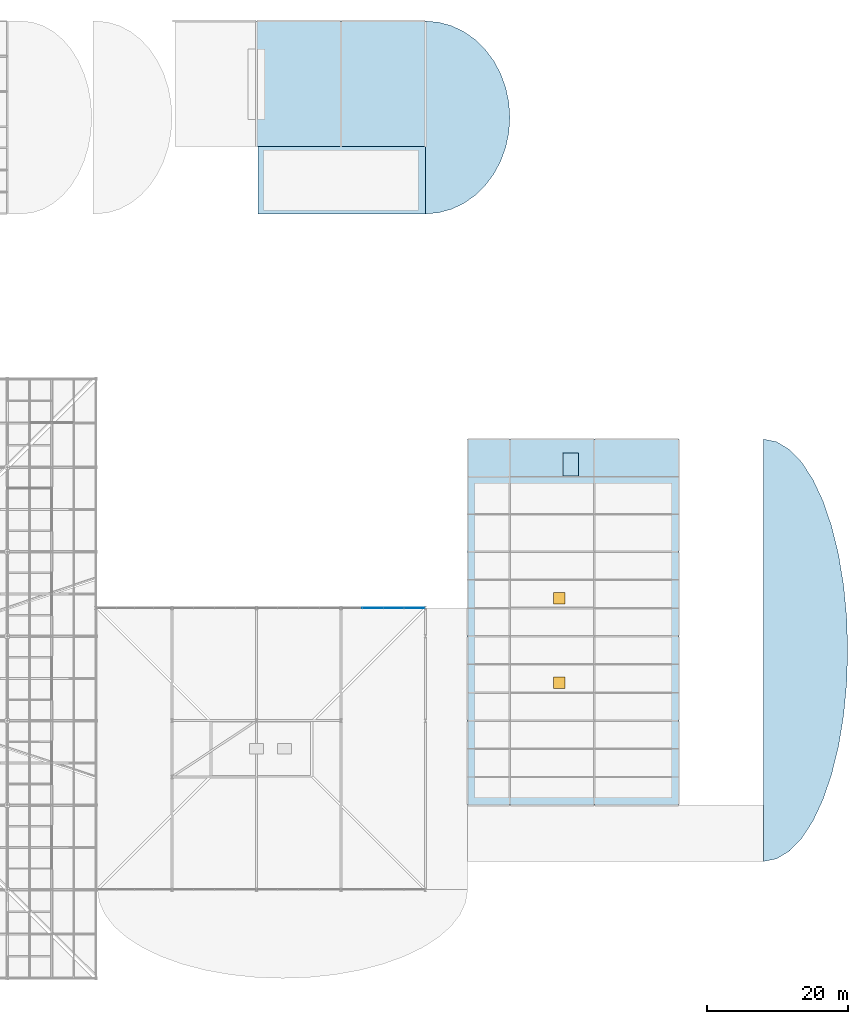
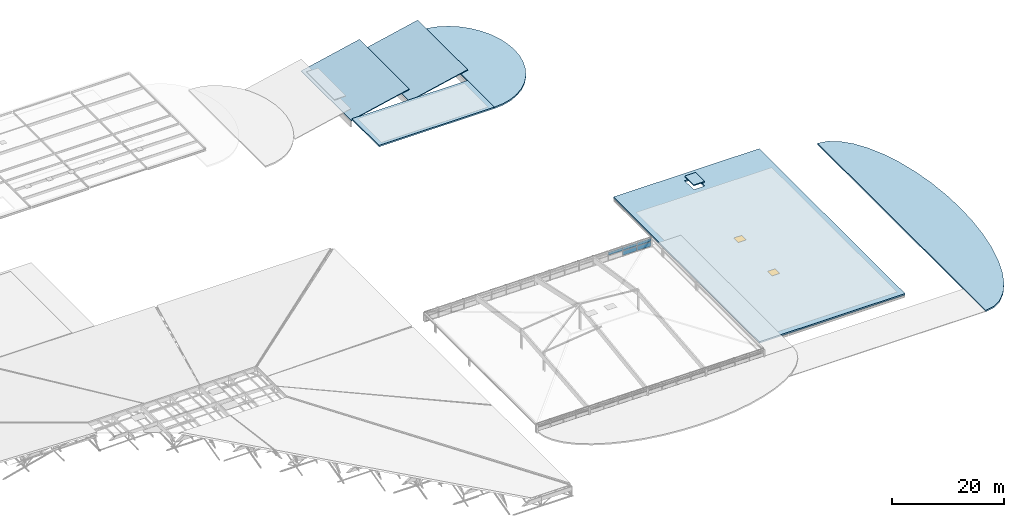
# One storey, part 76 of 80: 7 slabs, 5 plates, 2 windows, 2 openings, 1 element without a shape of its own.
"""IFC4 building model written with IfcOpenShell, lengths in metres."""

from ifc_helpers import new_model, si_unit, direction, frame, origin, origin_2d, place, context, subcontext, project, spatial, polyline, rectangle, outline, extrude, material, layer, layer_set, type_object, element, fill, aggregate, save


model = new_model("IFC4")

# Units and contexts
model_context = context("Model", 3, precision=1e-05, world=origin(), true_north=direction((0.0, 1.0)))
body_context = subcontext(model_context, "Body", "Model", "MODEL_VIEW")
ifc_project = project(units=[si_unit("LENGTHUNIT", "METRE"), si_unit("AREAUNIT", "SQUARE_METRE"), si_unit("VOLUMEUNIT", "CUBIC_METRE"), si_unit("PLANEANGLEUNIT", "RADIAN"), si_unit("MASSUNIT", "GRAM", prefix="KILO"), si_unit("THERMODYNAMICTEMPERATUREUNIT", "KELVIN"), si_unit("POWERUNIT", "WATT")], contexts=[model_context])

# Site, building, storey
site_placement = place(None, origin())
site = spatial("IfcSite", under=ifc_project, at=site_placement, CompositionType="ELEMENT")
building_placement = place(site_placement, origin())
building = spatial("IfcBuilding", under=site, at=building_placement, Name="Solmara Park Aquatics Centre", CompositionType="ELEMENT")
storey_placement = place(building_placement, frame((0.0, 0.0, 22.800048828125)))
storey = spatial("IfcBuildingStorey", under=building, at=storey_placement, Name="RF", CompositionType="ELEMENT", Elevation=22.800048828125)

# Curtain wall, plates
ifc_material_1 = material(Name="Anodised Aluminium Curtain Wall Framing", Category="aluminium")
curtain_wall_type = type_object("IfcCurtainWallType", Name="ARC-CW-SYS06", PredefinedType="USERDEFINED", material=ifc_material_1)
curtain_wall_placement = place(storey_placement, origin())
curtain_wall = element("IfcCurtainWall", 1, at=curtain_wall_placement, inside=storey, type_object=curtain_wall_type, Name="Curtain Wall CW-090", ObjectType="CURTAIN WALL", PredefinedType="USERDEFINED")
ifc_material_2 = material(Name="Acoustic Laminated Glazing", Category="glass")
ifc_layer_1 = layer(ifc_material_2, 0.028076171875, Name="Acoustic Laminated Glazing")
ifc_layer_set_1 = layer_set([ifc_layer_1], Name="Acoustic Laminated Glazing")
plate_type_1 = type_object("IfcPlateType", Name="ARC-CWP-GLZ28-2900x1000", PredefinedType="CURTAIN_PANEL", material=ifc_layer_set_1)
plate_1_placement = place(storey_placement, frame((151.469970703125, 52.60009765625, -8.320068359375), z_axis=(0.0, 0.0, 1.0), x_axis=(1.0, 0.0, 0.0)))
plate_1 = element("IfcPlate", 2, at=plate_1_placement, type_object=plate_type_1, Name="CW-090 panel 5", PredefinedType="CURTAIN_PANEL", context=body_context, shape_type="SweptSolid", body=[
    extrude(rectangle(XDim=2.89990234375, YDim=0.028076171875, at=origin_2d()), origin(), (0.0, 0.0, 1.0), 0.99365234375),
])
plate_2_placement = place(storey_placement, frame((154.449951171875, 52.60009765625, -8.320068359375), z_axis=(0.0, 0.0, 1.0), x_axis=(1.0, 0.0, 0.0)))
plate_2 = element("IfcPlate", 3, at=plate_2_placement, type_object=plate_type_1, Name="CW-090 panel 7", PredefinedType="CURTAIN_PANEL", context=body_context, shape_type="SweptSolid", body=[
    extrude(rectangle(XDim=2.89990234375, YDim=0.028076171875, at=origin_2d()), origin(), (0.0, 0.0, 1.0), 0.99365234375),
])
ifc_layer_2 = layer(ifc_material_2, 0.028076171875, Name="Acoustic Laminated Glazing")
ifc_layer_set_2 = layer_set([ifc_layer_2], Name="Acoustic Laminated Glazing")
plate_type_2 = type_object("IfcPlateType", Name="ARC-CWP-GLZ28-2900x680", PredefinedType="CURTAIN_PANEL", material=ifc_layer_set_2)
plate_3_placement = place(storey_placement, frame((148.489990234375, 52.60009765625, -7.24658203125), z_axis=(0.0, 0.0, 1.0), x_axis=(1.0, 0.0, 0.0)))
plate_3 = element("IfcPlate", 4, at=plate_3_placement, type_object=plate_type_2, Name="CW-090 panel 4", PredefinedType="CURTAIN_PANEL", context=body_context, shape_type="SweptSolid", body=[
    extrude(rectangle(XDim=2.89990234375, YDim=0.028076171875, at=origin_2d()), origin(), (0.0, 0.0, 1.0), 0.686279296875),
])
plate_4_placement = place(storey_placement, frame((151.469970703125, 52.60009765625, -7.24658203125), z_axis=(0.0, 0.0, 1.0), x_axis=(1.0, 0.0, 0.0)))
plate_4 = element("IfcPlate", 5, at=plate_4_placement, type_object=plate_type_2, Name="CW-090 panel 6", PredefinedType="CURTAIN_PANEL", context=body_context, shape_type="SweptSolid", body=[
    extrude(rectangle(XDim=2.89990234375, YDim=0.028076171875, at=origin_2d()), origin(), (0.0, 0.0, 1.0), 0.686279296875),
])
plate_5_placement = place(storey_placement, frame((154.449951171875, 52.60009765625, -7.24658203125), z_axis=(0.0, 0.0, 1.0), x_axis=(1.0, 0.0, 0.0)))
plate_5 = element("IfcPlate", 6, at=plate_5_placement, type_object=plate_type_2, Name="CW-090 panel 8", PredefinedType="CURTAIN_PANEL", context=body_context, shape_type="SweptSolid", body=[
    extrude(rectangle(XDim=2.89990234375, YDim=0.028076171875, at=origin_2d()), origin(), (0.0, 0.0, 1.0), 0.686279296875),
])
aggregate(curtain_wall, [plate_3, plate_1, plate_4, plate_2, plate_5])

# Slabs
ifc_material_3 = material(Name="Precast Concrete C40/50", Category="concrete")
ifc_layer_3 = layer(ifc_material_3, 0.159912109375, Name="Precast Concrete C40/50")
ifc_layer_set_3 = layer_set([ifc_layer_3], Name="Precast Concrete C40/50")
slab_type_1 = type_object("IfcSlabType", Name="STR-SLB-ROOF160", PredefinedType="ROOF", material=ifc_layer_set_3)
for number, where, z_axis, x_axis, name in (
    (7, (132.0, 118.199951171875, -12.400146484375), (-0.216444610954, 0.0, 0.976294899295), (0.976294899295, 0.0, 0.216444610954), "Training Pool Sawtooth Roof Panel 2"),
    (8, (144.0, 118.199951171875, -12.400146484375), (-0.216444610954, 0.0, 0.976294899295), (0.976294899295, 0.0, 0.216444610954), "Training Pool Sawtooth Roof Panel 3"),
):
    element("IfcSlab", number, at=place(storey_placement, frame(where, z_axis=z_axis, x_axis=x_axis)), inside=storey, type_object=slab_type_1, Name=name, PredefinedType="ROOF", context=body_context, shape_type="SweptSolid", body=[
        extrude(outline(polyline([(0.0, 0.0), (12.291368119067856, 0.0), (12.291368119067856, 17.800048828125), (0.0, 17.800048828125), (0.0, 0.0)])), origin(), (0.0, 0.0, -1.0), 0.159912109375),
    ])
ifc_material_4 = material(Name="Concrete C40/50", Category="concrete")
ifc_layer_4 = layer(ifc_material_4, 0.239990234375, Name="Concrete C40/50")
ifc_layer_set_4 = layer_set([ifc_layer_4], Name="Concrete C40/50")
slab_type_2 = type_object("IfcSlabType", Name="STR-SLB-ROOF240", PredefinedType="ROOF", material=ifc_layer_set_4)
slab_1_placement = place(storey_placement, frame((0.0, 0.0, -13.5400390625)))
element("IfcSlab", 9, at=slab_1_placement, inside=storey, type_object=slab_type_2, Name="Lift Shaft LF-07 Overrun Roof Slab (+9.500m)", PredefinedType="ROOF", context=body_context, shape_type="SweptSolid", body=[
    extrude(outline(polyline([(175.52001953125, 71.39990234375), (177.75, 71.39990234375), (177.75, 74.60009765625), (175.52001953125, 74.60009765625), (175.52001953125, 71.39990234375)])), origin(), (0.0, 0.0, 1.0), 0.239990234375),
])

# Slab, openings, windows
ifc_layer_5 = layer(ifc_material_4, 0.320068359375, Name="Concrete C40/50")
ifc_layer_set_5 = layer_set([ifc_layer_5], Name="Concrete C40/50")
slab_type_3 = type_object("IfcSlabType", Name="STR-SLB-ROOF320", PredefinedType="ROOF", material=ifc_layer_set_5)
slab_2_placement = place(storey_placement, frame((0.0, 0.0, -14.64013671875)))
slab_2 = element("IfcSlab", 10, at=slab_2_placement, inside=storey, type_object=slab_type_3, Name="Entrance Foyer Pavilion Main Roof", PredefinedType="ROOF", context=body_context, shape_type="SweptSolid", body=[
    extrude(outline(polyline([(162.0, 24.60009765625), (192.0, 24.60009765625), (192.0, 76.60009765625), (162.0, 76.60009765625), (162.0, 24.60009765625)]), holes=[polyline([(175.510009765625, 71.389892578125), (177.760009765625, 71.389892578125), (177.760009765625, 74.610107421875), (175.510009765625, 74.610107421875), (175.510009765625, 71.389892578125)])]), origin(), (0.0, 0.0, 1.0), 0.320068359375),
])
opening_1_placement = place(slab_2_placement, frame((175.0, 42.0, 0.0)))
opening_1 = element("IfcOpeningElement", 11, at=opening_1_placement, cuts=slab_2, Name="Opening SK-04", PredefinedType="OPENING", context=body_context, shape_type="SweptSolid", body=[
    extrude(rectangle(XDim=1.60009765625, YDim=1.60009765625, at=origin_2d()), frame((0.0, 0.0, -0.010009765625)), (0.0, 0.0, 1.0), 0.340087890625),
])
opening_2_placement = place(slab_2_placement, frame((175.0, 54.0, 0.0)))
opening_2 = element("IfcOpeningElement", 12, at=opening_2_placement, cuts=slab_2, Name="Opening SK-04", PredefinedType="OPENING", context=body_context, shape_type="SweptSolid", body=[
    extrude(rectangle(XDim=1.60009765625, YDim=1.60009765625, at=origin_2d()), frame((0.0, 0.0, -0.010009765625)), (0.0, 0.0, 1.0), 0.340087890625),
])
ifc_material_5 = material(Name="Thermally Broken Aluminium and Low-E Double Glazing", Category="aluminium")
window_type = type_object("IfcWindowType", Name="ARC-SKY-160x160", PartitioningType="SINGLE_PANEL", PredefinedType="SKYLIGHT", material=ifc_material_5)
window_1_placement = place(opening_1_placement, frame((0.0, 0.0, 0.27001953125)))
window_1 = element("IfcWindow", 13, at=window_1_placement, inside=storey, type_object=window_type, Name="Roof Daylight Skylight SKY-07", OverallHeight=1.60009765625, OverallWidth=1.60009765625, PartitioningType="SINGLE_PANEL", PredefinedType="SKYLIGHT", context=body_context, shape_type="SweptSolid", body=[
    extrude(rectangle(XDim=1.60009765625, YDim=1.60009765625, at=origin_2d()), origin(), (0.0, 0.0, 1.0), 0.050048828125),
])
fill(opening_1, window_1)
window_2_placement = place(opening_2_placement, frame((0.0, 0.0, 0.27001953125)))
window_2 = element("IfcWindow", 14, at=window_2_placement, inside=storey, type_object=window_type, Name="Roof Daylight Skylight SKY-08", OverallHeight=1.60009765625, OverallWidth=1.60009765625, PartitioningType="SINGLE_PANEL", PredefinedType="SKYLIGHT", context=body_context, shape_type="SweptSolid", body=[
    extrude(rectangle(XDim=1.60009765625, YDim=1.60009765625, at=origin_2d()), origin(), (0.0, 0.0, 1.0), 0.050048828125),
])
fill(opening_2, window_2)

# Slabs
slab_3_placement = place(storey_placement, frame((0.0, 0.0, -17.66015625)))
element("IfcSlab", 15, at=slab_3_placement, inside=storey, type_object=slab_type_3, Name="Park Colonnade Canopy Roof", PredefinedType="ROOF", context=body_context, shape_type="SweptSolid", body=[
    extrude(outline(polyline([(204.0, 16.60009765625), (204.0, 16.60009765625), (205.877197265625, 16.96923828125), (207.708251953125, 18.068359375), (209.447998046875, 19.869873046875), (211.053466796875, 22.32958984375), (212.4853515625, 25.38671875), (213.708251953125, 28.96630859375), (214.692138671875, 32.980224609375), (215.41259765625, 37.32958984375), (215.852294921875, 41.906982421875), (216.0, 46.60009765625), (215.852294921875, 51.29296875), (215.41259765625, 55.87060546875), (214.692138671875, 60.2197265625), (213.708251953125, 64.233642578125), (212.4853515625, 67.813232421875), (211.053466796875, 70.87060546875), (209.447998046875, 73.330078125), (207.708251953125, 75.131591796875), (205.877197265625, 76.230712890625), (204.0, 76.60009765625), (204.0, 76.60009765625), (204.0, 16.60009765625)])), origin(), (0.0, 0.0, 1.0), 0.320068359375),
])
slab_4_placement = place(storey_placement, frame((0.0, 0.0, -12.400146484375)))
element("IfcSlab", 16, at=slab_4_placement, inside=storey, type_object=slab_type_3, Name="Training Gallery South Roof", PredefinedType="ROOF", context=body_context, shape_type="SweptSolid", body=[
    extrude(outline(polyline([(132.199951171875, 108.60009765625), (156.0, 108.60009765625), (156.0, 118.199951171875), (132.199951171875, 118.199951171875), (132.199951171875, 108.60009765625)])), origin(), (0.0, 0.0, 1.0), 0.320068359375),
])
slab_5_placement = place(storey_placement, frame((0.0, 0.0, -12.400146484375)))
element("IfcSlab", 17, at=slab_5_placement, inside=storey, type_object=slab_type_3, Name="Wellness Wing East Prow Roof", PredefinedType="ROOF", context=body_context, shape_type="SweptSolid", body=[
    extrude(outline(polyline([(156.0, 108.60009765625), (156.0, 108.60009765625), (157.877197265625, 108.768798828125), (159.708251953125, 109.2705078125), (161.447998046875, 110.09326171875), (163.053466796875, 111.216552734375), (164.4853515625, 112.612548828125), (165.708251953125, 114.247314453125), (166.692138671875, 116.080322265625), (167.41259765625, 118.06640625), (167.852294921875, 120.15673828125), (168.0, 122.300048828125), (167.852294921875, 124.443115234375), (167.41259765625, 126.533447265625), (166.692138671875, 128.519775390625), (165.708251953125, 130.352783203125), (164.4853515625, 131.9873046875), (163.053466796875, 133.383544921875), (161.447998046875, 134.5068359375), (159.708251953125, 135.32958984375), (157.877197265625, 135.831298828125), (156.0, 136.0), (156.0, 136.0), (156.0, 108.60009765625)])), origin(), (0.0, 0.0, 1.0), 0.320068359375),
])

save(model, "model.ifc")
